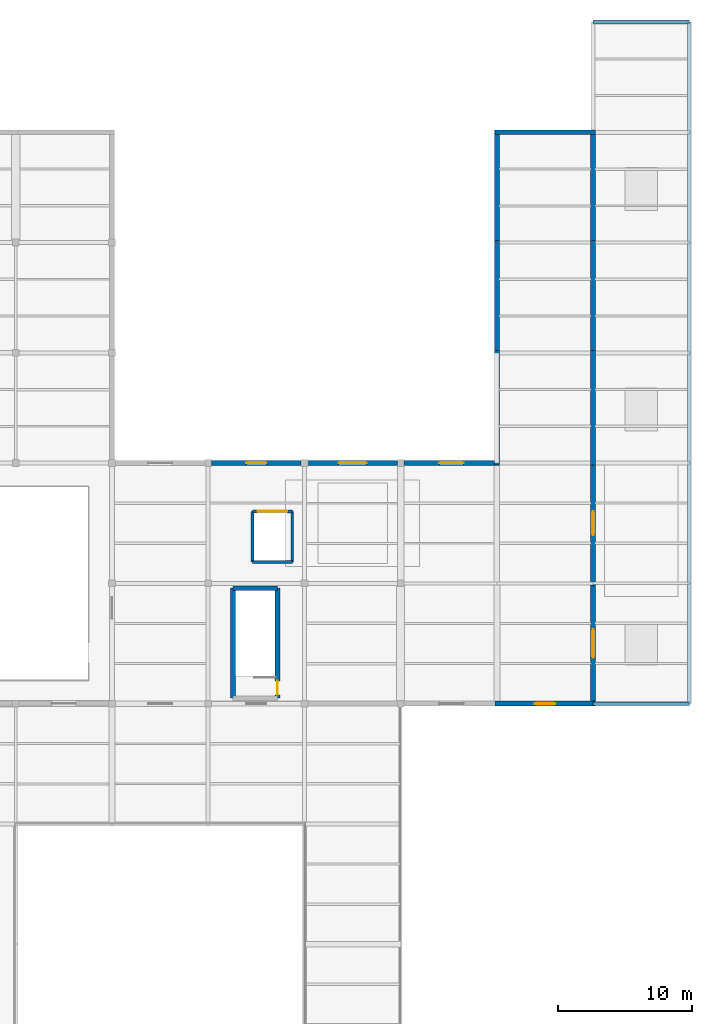
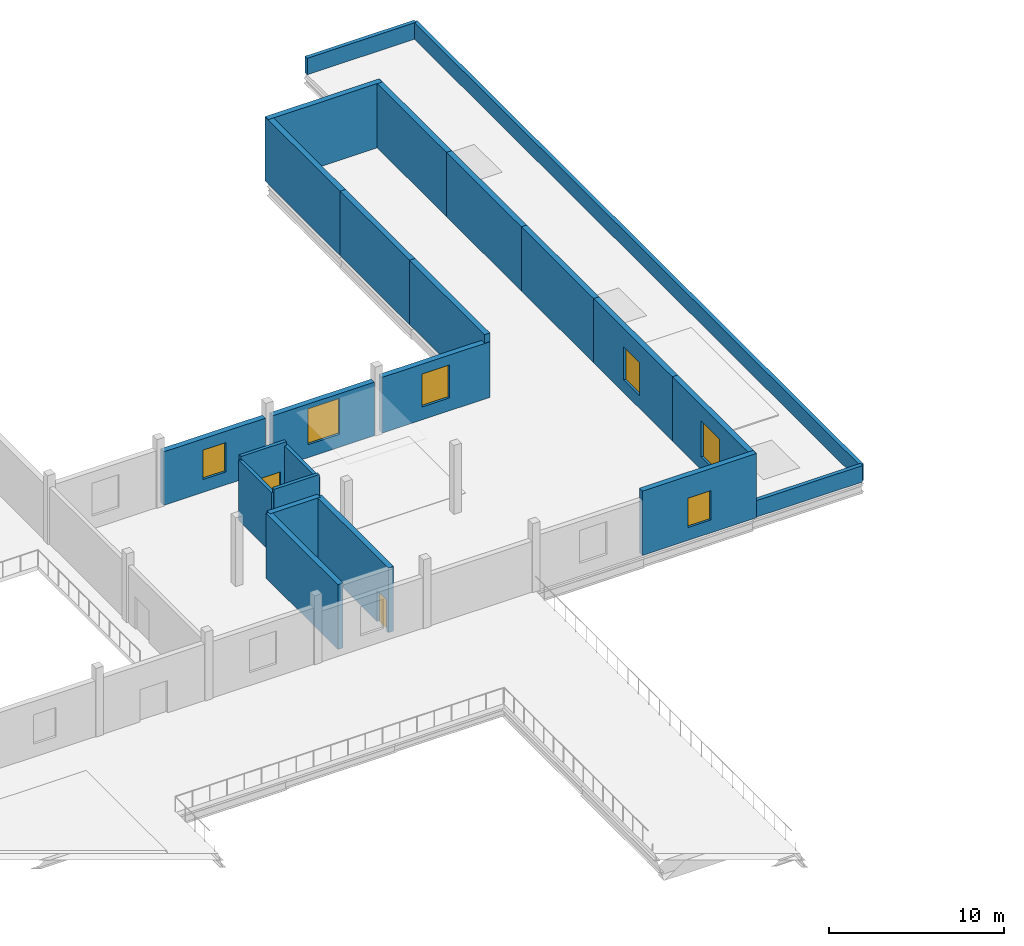
# One storey, part 38 of 54: 23 walls, 6 windows, 2 doors, 8 openings.
"""IFC4 building model written with IfcOpenShell, lengths in metres."""

from ifc_helpers import new_model, si_unit, direction, frame, frame_2d, origin, place, context, subcontext, project, spatial, rectangle, extrude, material, layer, layer_set, type_object, element, fill, save


model = new_model("IFC4")

# Units and contexts
model_context = context("Model", 3, precision=1e-05, world=origin(), true_north=direction((0.0, 1.0)))
body_context = subcontext(model_context, "Body", "Model", "MODEL_VIEW")
ifc_project = project(units=[si_unit("LENGTHUNIT", "METRE"), si_unit("AREAUNIT", "SQUARE_METRE"), si_unit("VOLUMEUNIT", "CUBIC_METRE"), si_unit("PLANEANGLEUNIT", "RADIAN"), si_unit("MASSUNIT", "GRAM", prefix="KILO")], contexts=[model_context])

# Site, building, storey
site_placement = place(None, origin())
site = spatial("IfcSite", under=ifc_project, at=site_placement, CompositionType="ELEMENT")
building_placement = place(site_placement, origin())
building = spatial("IfcBuilding", under=site, at=building_placement, Name="Sundgate Opera House", CompositionType="ELEMENT")
storey_placement = place(building_placement, frame((0.0, 0.0, 16.800048828125)))
storey = spatial("IfcBuildingStorey", under=building, at=storey_placement, Name="L03", CompositionType="ELEMENT", Elevation=16.800048828125)

# Walls
ifc_material_1 = material(Name="Concrete C40/50", Category="concrete")
ifc_layer_1 = layer(ifc_material_1, 0.35009765625)
ifc_layer_set_1 = layer_set([ifc_layer_1], Name="Concrete C40/50")
wall_type_1 = type_object("IfcWallType", Name="WL-CORE-350", PredefinedType="SHEAR", material=ifc_layer_set_1)
wall_1_placement = place(storey_placement, frame((133.260009765625, 77.639892578125, 0.0), z_axis=(0.0, 0.0, 1.0), x_axis=(1.0, 0.0, 0.0)))
element("IfcWall", 1, at=wall_1_placement, inside=storey, type_object=wall_type_1, Name="L03 C6 North Shaft Wall", PredefinedType="SHEAR", context=body_context, shape_type="SweptSolid", body=[
    extrude(rectangle(XDim=3.330078125, YDim=0.35009765625, at=frame_2d((1.6650390625, 0.0))), origin(), (0.0, 0.0, 1.0), 4.52001953125),
])
wall_2_placement = place(storey_placement, frame((133.260009765625, 69.409912109375, 0.0), z_axis=(0.0, 0.0, 1.0), x_axis=(0.0, 1.0, 0.0)))
element("IfcWall", 2, at=wall_2_placement, inside=storey, type_object=wall_type_1, Name="L03 C6 West Shaft Wall", PredefinedType="SHEAR", context=body_context, shape_type="SweptSolid", body=[
    extrude(rectangle(XDim=8.22998046875, YDim=0.35009765625, at=frame_2d((4.114990234375, 0.0))), origin(), (0.0, 0.0, 1.0), 4.52001953125),
])

# Wall, opening, door
wall_3_placement = place(storey_placement, frame((136.590087890625, 69.409912109375, 0.0), z_axis=(0.0, 0.0, 1.0), x_axis=(0.0, 1.0, 0.0)))
wall_3 = element("IfcWall", 3, at=wall_3_placement, inside=storey, type_object=wall_type_1, Name="L03 C6 East Shaft Wall", PredefinedType="SHEAR", context=body_context, shape_type="SweptSolid", body=[
    extrude(rectangle(XDim=8.22998046875, YDim=0.35009765625, at=frame_2d((4.114990234375, 0.0))), origin(), (0.0, 0.0, 1.0), 4.52001953125),
])
opening_1_placement = place(wall_3_placement, frame((0.239990234375, 0.0, 0.0)))
opening_1 = element("IfcOpeningElement", 4, at=opening_1_placement, cuts=wall_3, Name="Opening DI01", PredefinedType="OPENING", context=body_context, shape_type="SweptSolid", body=[
    extrude(rectangle(XDim=1.050048828125, YDim=2.179931640625, at=frame_2d((0.52490234375, 1.08984375))), frame((0.0, 0.18505859375, 0.0), z_axis=(0.0, -1.0, 0.0), x_axis=(1.0, 0.0, 0.0)), (0.0, 0.0, 1.0), 0.3701171875),
])
ifc_material_2 = material(Name="Acoustic hardwood timber and steel core", Category="steel")
door_type_1 = type_object("IfcDoorType", Name="DR-STAIR-1050x2180", OperationType="NOTDEFINED", PredefinedType="DOOR", material=ifc_material_2)
door_1_placement = place(opening_1_placement, origin())
door_1 = element("IfcDoor", 5, at=door_1_placement, inside=storey, type_object=door_type_1, Name="L03 C6 Stair Door D0082", OperationType="SINGLE_SWING_RIGHT", OverallHeight=2.179931640625, OverallWidth=1.050048828125, PredefinedType="DOOR", context=body_context, shape_type="SweptSolid", body=[
    extrude(rectangle(XDim=1.050048828125, YDim=2.179931640625, at=frame_2d((0.52490234375, 1.08984375))), frame((0.0, 0.02490234375, 0.0), z_axis=(0.0, -1.0, 0.0), x_axis=(1.0, 0.0, 0.0)), (0.0, 0.0, 1.0), 0.050048828125),
])
fill(opening_1, door_1)

# Wall, opening, window
ifc_material_3 = material(Name="Scanian red-brown facing brick masonry", Category="masonry")
ifc_layer_2 = layer(ifc_material_3, 0.360107421875)
ifc_layer_set_2 = layer_set([ifc_layer_2], Name="Scanian red-brown facing brick masonry")
wall_type_2 = type_object("IfcWallType", Name="WL-EXT-BRICK-360", PredefinedType="SOLIDWALL", material=ifc_layer_set_2)
wall_4_placement = place(storey_placement, frame((131.64501953125, 87.0, 0.0), z_axis=(0.0, 0.0, 1.0), x_axis=(1.0, 0.0, 0.0)))
wall_4 = element("IfcWall", 6, at=wall_4_placement, inside=storey, type_object=wall_type_2, Name="L03 Conservatory North Brick Wall W0250", PredefinedType="SOLIDWALL", context=body_context, shape_type="SweptSolid", body=[
    extrude(rectangle(XDim=6.7099609375, YDim=0.360107421875, at=frame_2d((3.35498046875, 0.0))), origin(), (0.0, 0.0, 1.0), 3.73486328125),
])
opening_2_placement = place(wall_4_placement, frame((2.60498046875, 0.0, 0.89990234375)))
opening_2 = element("IfcOpeningElement", 7, at=opening_2_placement, cuts=wall_4, Name="Opening W06", PredefinedType="OPENING", context=body_context, shape_type="SweptSolid", body=[
    extrude(rectangle(XDim=1.5, YDim=2.050048828125, at=frame_2d((0.75, 1.02490234375))), frame((0.0, 0.18994140625, 0.0), z_axis=(0.0, -1.0, 0.0), x_axis=(1.0, 0.0, 0.0)), (0.0, 0.0, 1.0), 0.380126953125),
])
ifc_material_4 = material(Name="Low-iron triple glazing in patinated bronze frame", Category="glass")
window_type_1 = type_object("IfcWindowType", Name="WN-CONS-1500x2050", PartitioningType="SINGLE_PANEL", PredefinedType="WINDOW", material=ifc_material_4)
window_1_placement = place(opening_2_placement, origin())
window_1 = element("IfcWindow", 8, at=window_1_placement, inside=storey, type_object=window_type_1, Name="L03 Conservatory Window WN0198", OverallHeight=2.050048828125, OverallWidth=1.5, PartitioningType="SINGLE_PANEL", PredefinedType="WINDOW", context=body_context, shape_type="SweptSolid", body=[
    extrude(rectangle(XDim=1.5, YDim=2.050048828125, at=frame_2d((0.75, 1.02490234375))), frame((0.0, 0.030029296875, 0.0), z_axis=(0.0, -1.0, 0.0), x_axis=(1.0, 0.0, 0.0)), (0.0, 0.0, 1.0), 0.06005859375),
])
fill(opening_2, window_1)

wall_5_placement = place(storey_placement, frame((138.844970703125, 87.0, 0.0), z_axis=(0.0, 0.0, 1.0), x_axis=(1.0, 0.0, 0.0)))
wall_5 = element("IfcWall", 9, at=wall_5_placement, inside=storey, type_object=wall_type_2, Name="L03 Conservatory North Brick Wall W0251", PredefinedType="SOLIDWALL", context=body_context, shape_type="SweptSolid", body=[
    extrude(rectangle(XDim=6.7099609375, YDim=0.360107421875, at=frame_2d((3.35498046875, 0.0))), origin(), (0.0, 0.0, 1.0), 3.73486328125),
])
opening_3_placement = place(wall_5_placement, frame((2.304931640625, 0.0, 0.89990234375)))
opening_3 = element("IfcOpeningElement", 10, at=opening_3_placement, cuts=wall_5, Name="Opening W04", PredefinedType="OPENING", context=body_context, shape_type="SweptSolid", body=[
    extrude(rectangle(XDim=2.10009765625, YDim=2.5, at=frame_2d((1.050048828125, 1.25))), frame((0.0, 0.18994140625, 0.0), z_axis=(0.0, -1.0, 0.0), x_axis=(1.0, 0.0, 0.0)), (0.0, 0.0, 1.0), 0.380126953125),
])
ifc_material_5 = material(Name="Low-iron triple glazing in patinated bronze frame", Category="glass")
window_type_2 = type_object("IfcWindowType", Name="WN-CONS-2100x2500", PartitioningType="SINGLE_PANEL", PredefinedType="WINDOW", material=ifc_material_5)
window_2_placement = place(opening_3_placement, origin())
window_2 = element("IfcWindow", 11, at=window_2_placement, inside=storey, type_object=window_type_2, Name="L03 Conservatory Window WN0199", OverallHeight=2.5, OverallWidth=2.10009765625, PartitioningType="SINGLE_PANEL", PredefinedType="WINDOW", context=body_context, shape_type="SweptSolid", body=[
    extrude(rectangle(XDim=2.10009765625, YDim=2.5, at=frame_2d((1.050048828125, 1.25))), frame((0.0, 0.030029296875, 0.0), z_axis=(0.0, -1.0, 0.0), x_axis=(1.0, 0.0, 0.0)), (0.0, 0.0, 1.0), 0.06005859375),
])
fill(opening_3, window_2)

wall_6_placement = place(storey_placement, frame((146.044921875, 87.0, 0.0), z_axis=(0.0, 0.0, 1.0), x_axis=(1.0, 0.0, 0.0)))
wall_6 = element("IfcWall", 12, at=wall_6_placement, inside=storey, type_object=wall_type_2, Name="L03 Conservatory North Brick Wall W0252", PredefinedType="SOLIDWALL", context=body_context, shape_type="SweptSolid", body=[
    extrude(rectangle(XDim=7.114990234375, YDim=0.360107421875, at=frame_2d((3.5576171875, 0.0))), origin(), (0.0, 0.0, 1.0), 3.885009765625),
])
opening_4_placement = place(wall_6_placement, frame((2.657958984375, 0.0, 0.89990234375)))
opening_4 = element("IfcOpeningElement", 13, at=opening_4_placement, cuts=wall_6, Name="Opening W05", PredefinedType="OPENING", context=body_context, shape_type="SweptSolid", body=[
    extrude(rectangle(XDim=1.800048828125, YDim=2.300048828125, at=frame_2d((0.89990234375, 1.14990234375))), frame((0.0, 0.18994140625, 0.0), z_axis=(0.0, -1.0, 0.0), x_axis=(1.0, 0.0, 0.0)), (0.0, 0.0, 1.0), 0.380126953125),
])
ifc_material_6 = material(Name="Low-iron triple glazing in patinated bronze frame", Category="glass")
window_type_3 = type_object("IfcWindowType", Name="WN-CONS-1800x2300", PartitioningType="SINGLE_PANEL", PredefinedType="WINDOW", material=ifc_material_6)
window_3_placement = place(opening_4_placement, origin())
window_3 = element("IfcWindow", 14, at=window_3_placement, inside=storey, type_object=window_type_3, Name="L03 Conservatory Window WN0200", OverallHeight=2.300048828125, OverallWidth=1.800048828125, PartitioningType="SINGLE_PANEL", PredefinedType="WINDOW", context=body_context, shape_type="SweptSolid", body=[
    extrude(rectangle(XDim=1.800048828125, YDim=2.300048828125, at=frame_2d((0.89990234375, 1.14990234375))), frame((0.0, 0.030029296875, 0.0), z_axis=(0.0, -1.0, 0.0), x_axis=(1.0, 0.0, 0.0)), (0.0, 0.0, 1.0), 0.06005859375),
])
fill(opening_4, window_3)

wall_7_placement = place(storey_placement, frame((160.199951171875, 78.159912109375, 0.0), z_axis=(0.0, 0.0, 1.0), x_axis=(0.0, -1.0, 0.0)))
wall_7 = element("IfcWall", 15, at=wall_7_placement, inside=storey, type_object=wall_type_2, Name="L03 Conservatory East Brick Wall W0253", PredefinedType="SOLIDWALL", context=body_context, shape_type="SweptSolid", body=[
    extrude(rectangle(XDim=9.31982421875, YDim=0.360107421875, at=frame_2d((4.659912109375, 0.0))), origin(), (0.0, 0.0, 1.0), 4.48486328125),
])
opening_5_placement = place(wall_7_placement, frame((3.610107421875, 0.0, 0.89990234375)))
opening_5 = element("IfcOpeningElement", 16, at=opening_5_placement, cuts=wall_7, Name="Opening W04", PredefinedType="OPENING", context=body_context, shape_type="SweptSolid", body=[
    extrude(rectangle(XDim=2.10009765625, YDim=2.5, at=frame_2d((1.050048828125, 1.25))), frame((0.0, 0.18994140625, 0.0), z_axis=(0.0, -1.0, 0.0), x_axis=(1.0, 0.0, 0.0)), (0.0, 0.0, 1.0), 0.380126953125),
])
window_4_placement = place(opening_5_placement, origin())
window_4 = element("IfcWindow", 17, at=window_4_placement, inside=storey, type_object=window_type_2, Name="L03 Conservatory Window WN0201", OverallHeight=2.5, OverallWidth=2.10009765625, PartitioningType="SINGLE_PANEL", PredefinedType="WINDOW", context=body_context, shape_type="SweptSolid", body=[
    extrude(rectangle(XDim=2.10009765625, YDim=2.5, at=frame_2d((1.050048828125, 1.25))), frame((0.0, 0.030029296875, 0.0), z_axis=(0.0, -1.0, 0.0), x_axis=(1.0, 0.0, 0.0)), (0.0, 0.0, 1.0), 0.06005859375),
])
fill(opening_5, window_4)

wall_8_placement = place(storey_placement, frame((160.199951171875, 87.159912109375, 0.0), z_axis=(0.0, 0.0, 1.0), x_axis=(0.0, -1.0, 0.0)))
wall_8 = element("IfcWall", 18, at=wall_8_placement, inside=storey, type_object=wall_type_2, Name="L03 Conservatory East Brick Wall W0254", PredefinedType="SOLIDWALL", context=body_context, shape_type="SweptSolid", body=[
    extrude(rectangle(XDim=9.31982421875, YDim=0.360107421875, at=frame_2d((4.659912109375, 0.0))), origin(), (0.0, 0.0, 1.0), 4.48486328125),
])
opening_6_placement = place(wall_8_placement, frame((3.760009765625, 0.0, 0.89990234375)))
opening_6 = element("IfcOpeningElement", 19, at=opening_6_placement, cuts=wall_8, Name="Opening W05", PredefinedType="OPENING", context=body_context, shape_type="SweptSolid", body=[
    extrude(rectangle(XDim=1.800048828125, YDim=2.300048828125, at=frame_2d((0.89990234375, 1.14990234375))), frame((0.0, 0.18994140625, 0.0), z_axis=(0.0, -1.0, 0.0), x_axis=(1.0, 0.0, 0.0)), (0.0, 0.0, 1.0), 0.380126953125),
])
window_5_placement = place(opening_6_placement, origin())
window_5 = element("IfcWindow", 20, at=window_5_placement, inside=storey, type_object=window_type_3, Name="L03 Conservatory Window WN0202", OverallHeight=2.300048828125, OverallWidth=1.800048828125, PartitioningType="SINGLE_PANEL", PredefinedType="WINDOW", context=body_context, shape_type="SweptSolid", body=[
    extrude(rectangle(XDim=1.800048828125, YDim=2.300048828125, at=frame_2d((0.89990234375, 1.14990234375))), frame((0.0, 0.030029296875, 0.0), z_axis=(0.0, -1.0, 0.0), x_axis=(1.0, 0.0, 0.0)), (0.0, 0.0, 1.0), 0.06005859375),
])
fill(opening_6, window_5)

wall_9_placement = place(storey_placement, frame((160.360107421875, 69.0, 0.0), z_axis=(0.0, 0.0, 1.0), x_axis=(-1.0, 0.0, 0.0)))
wall_9 = element("IfcWall", 21, at=wall_9_placement, inside=storey, type_object=wall_type_2, Name="L03 Conservatory South Brick Wall W0265", PredefinedType="SOLIDWALL", context=body_context, shape_type="SweptSolid", body=[
    extrude(rectangle(XDim=7.52001953125, YDim=0.360107421875, at=frame_2d((3.760009765625, 0.0))), origin(), (0.0, 0.0, 1.0), 4.48486328125),
])
opening_7_placement = place(wall_9_placement, frame((3.010009765625, 0.0, 0.89990234375)))
opening_7 = element("IfcOpeningElement", 22, at=opening_7_placement, cuts=wall_9, Name="Opening W06", PredefinedType="OPENING", context=body_context, shape_type="SweptSolid", body=[
    extrude(rectangle(XDim=1.5, YDim=2.050048828125, at=frame_2d((0.75, 1.02490234375))), frame((0.0, 0.18994140625, 0.0), z_axis=(0.0, -1.0, 0.0), x_axis=(1.0, 0.0, 0.0)), (0.0, 0.0, 1.0), 0.380126953125),
])
window_6_placement = place(opening_7_placement, origin())
window_6 = element("IfcWindow", 23, at=window_6_placement, inside=storey, type_object=window_type_1, Name="L03 Conservatory Window WN0210", OverallHeight=2.050048828125, OverallWidth=1.5, PartitioningType="SINGLE_PANEL", PredefinedType="WINDOW", context=body_context, shape_type="SweptSolid", body=[
    extrude(rectangle(XDim=1.5, YDim=2.050048828125, at=frame_2d((0.75, 1.02490234375))), frame((0.0, 0.030029296875, 0.0), z_axis=(0.0, -1.0, 0.0), x_axis=(1.0, 0.0, 0.0)), (0.0, 0.0, 1.0), 0.06005859375),
])
fill(opening_7, window_6)

# Walls
wall_10_placement = place(storey_placement, frame((152.840087890625, 111.75, 0.0), z_axis=(0.0, 0.0, 1.0), x_axis=(1.0, 0.0, 0.0)))
element("IfcWall", 24, at=wall_10_placement, inside=storey, type_object=wall_type_2, Name="L03 Conservatory North Brick Wall W0290", PredefinedType="SOLIDWALL", context=body_context, shape_type="SweptSolid", body=[
    extrude(rectangle(XDim=7.52001953125, YDim=0.360107421875, at=frame_2d((3.760009765625, 0.0))), origin(), (0.0, 0.0, 1.0), 4.48486328125),
])
for number, where, z_axis, x_axis, name in (
    (25, (153.0, 95.409912109375, 0.0), (0.0, 0.0, 1.0), (0.0, -1.0, 0.0), "L03 Conservatory West Brick Wall W0291"),
    (26, (153.0, 103.659912109375, 0.0), (0.0, 0.0, 1.0), (0.0, -1.0, 0.0), "L03 Conservatory West Brick Wall W0292"),
    (27, (153.0, 111.909912109375, 0.0), (0.0, 0.0, 1.0), (0.0, -1.0, 0.0), "L03 Conservatory West Brick Wall W0293"),
    (28, (160.199951171875, 86.840087890625, 0.0), (0.0, 0.0, 1.0), (0.0, 1.0, 0.0), "L03 Conservatory East Brick Wall W0294"),
    (29, (160.199951171875, 95.090087890625, 0.0), (0.0, 0.0, 1.0), (0.0, 1.0, 0.0), "L03 Conservatory East Brick Wall W0295"),
    (30, (160.199951171875, 103.340087890625, 0.0), (0.0, 0.0, 1.0), (0.0, 1.0, 0.0), "L03 Conservatory East Brick Wall W0296"),
):
    element("IfcWall", number, at=place(storey_placement, frame(where, z_axis=z_axis, x_axis=x_axis)), inside=storey, type_object=wall_type_2, Name=name, PredefinedType="SOLIDWALL", context=body_context, shape_type="SweptSolid", body=[
        extrude(rectangle(XDim=8.56982421875, YDim=0.360107421875, at=frame_2d((4.284912109375, 0.0))), origin(), (0.0, 0.0, 1.0), 4.48486328125),
    ])
ifc_material_7 = material(Name="Fire-rated gypsum and mineral-wool shaft partition", Category="gypsum")
ifc_layer_3 = layer(ifc_material_7, 0.219970703125)
ifc_layer_set_3 = layer_set([ifc_layer_3], Name="Fire-rated gypsum and mineral-wool shaft partition")
wall_type_3 = type_object("IfcWallType", Name="WL-INT-FIRE-220", PredefinedType="PARTITIONING", material=ifc_layer_set_3)
wall_11_placement = place(storey_placement, frame((134.7099609375, 79.610107421875, 0.0), z_axis=(0.0, 0.0, 1.0), x_axis=(1.0, 0.0, 0.0)))
element("IfcWall", 31, at=wall_11_placement, inside=storey, type_object=wall_type_3, Name="L03 GL-01 South Shaft Wall", PredefinedType="PARTITIONING", context=body_context, shape_type="SweptSolid", body=[
    extrude(rectangle(XDim=2.97998046875, YDim=0.219970703125, at=frame_2d((1.489990234375, 0.0))), origin(), (0.0, 0.0, 1.0), 4.48486328125),
])

# Wall, opening, door
wall_12_placement = place(storey_placement, frame((134.7099609375, 83.389892578125, 0.0), z_axis=(0.0, 0.0, 1.0), x_axis=(1.0, 0.0, 0.0)))
wall_12 = element("IfcWall", 32, at=wall_12_placement, inside=storey, type_object=wall_type_3, Name="L03 GL-01 North Shaft Wall", PredefinedType="PARTITIONING", context=body_context, shape_type="SweptSolid", body=[
    extrude(rectangle(XDim=2.97998046875, YDim=0.219970703125, at=frame_2d((1.489990234375, 0.0))), origin(), (0.0, 0.0, 1.0), 4.48486328125),
])
opening_8_placement = place(wall_12_placement, frame((0.389892578125, 0.0, 0.0)))
opening_8 = element("IfcOpeningElement", 33, at=opening_8_placement, cuts=wall_12, Name="Opening LD3", PredefinedType="OPENING", context=body_context, shape_type="SweptSolid", body=[
    extrude(rectangle(XDim=2.199951171875, YDim=2.5, at=frame_2d((1.10009765625, 1.25))), frame((0.0, 0.119873046875, 0.0), z_axis=(0.0, -1.0, 0.0), x_axis=(1.0, 0.0, 0.0)), (0.0, 0.0, 1.0), 0.239990234375),
])
ifc_material_8 = material(Name="Brushed stainless steel EN 1.4301", Category="steel")
door_type_2 = type_object("IfcDoorType", Name="DR-LIFT-2200x2500", OperationType="DOUBLE_DOOR_SLIDING", PredefinedType="DOOR", material=ifc_material_8)
door_2_placement = place(opening_8_placement, origin())
door_2 = element("IfcDoor", 34, at=door_2_placement, inside=storey, type_object=door_type_2, Name="L03 GL-01 Landing Door D0148", OperationType="DOUBLE_DOOR_SLIDING", OverallHeight=2.5, OverallWidth=2.199951171875, PredefinedType="DOOR", context=body_context, shape_type="SweptSolid", body=[
    extrude(rectangle(XDim=2.199951171875, YDim=2.5, at=frame_2d((1.10009765625, 1.25))), frame((0.0, 0.02490234375, 0.0), z_axis=(0.0, -1.0, 0.0), x_axis=(1.0, 0.0, 0.0)), (0.0, 0.0, 1.0), 0.050048828125),
])
fill(opening_8, door_2)

# Walls
for number, where, z_axis, x_axis, name in (
    (35, (134.7099609375, 79.610107421875, 0.0), (0.0, 0.0, 1.0), (0.0, 1.0, 0.0), "L03 GL-01 West Shaft Wall"),
    (36, (137.68994140625, 79.610107421875, 0.0), (0.0, 0.0, 1.0), (0.0, 1.0, 0.0), "L03 GL-01 East Shaft Wall"),
):
    element("IfcWall", number, at=place(storey_placement, frame(where, z_axis=z_axis, x_axis=x_axis)), inside=storey, type_object=wall_type_3, Name=name, PredefinedType="PARTITIONING", context=body_context, shape_type="SweptSolid", body=[
        extrude(rectangle(XDim=3.77978515625, YDim=0.219970703125, at=frame_2d((1.889892578125, 0.0))), origin(), (0.0, 0.0, 1.0), 4.21484375),
    ])
ifc_material_9 = material(Name="Scanian red-brown facing brick masonry", Category="masonry")
ifc_layer_4 = layer(ifc_material_9, 0.25)
ifc_layer_set_4 = layer_set([ifc_layer_4], Name="Scanian red-brown facing brick masonry")
wall_type_4 = type_object("IfcWallType", Name="WL-PAR-BRICK-250", PredefinedType="PARAPET", material=ifc_layer_set_4)
wall_13_placement = place(storey_placement, frame((160.199951171875, 69.0, 0.0), z_axis=(0.0, 0.0, 1.0), x_axis=(1.0, 0.0, 0.0)))
element("IfcWall", 37, at=wall_13_placement, inside=storey, type_object=wall_type_4, Name="L03 Roof Parapet W0469", PredefinedType="PARAPET", context=body_context, shape_type="SweptSolid", body=[
    extrude(rectangle(XDim=7.199951171875, YDim=0.25, at=frame_2d((3.60009765625, 0.0))), origin(), (0.0, 0.0, 1.0), 1.14990234375),
])
wall_14_placement = place(storey_placement, frame((167.39990234375, 69.0, 0.0), z_axis=(0.0, 0.0, 1.0), x_axis=(0.0, 1.0, 0.0)))
element("IfcWall", 38, at=wall_14_placement, inside=storey, type_object=wall_type_4, Name="L03 Roof Parapet W0470", PredefinedType="PARAPET", context=body_context, shape_type="SweptSolid", body=[
    extrude(rectangle(XDim=51.0, YDim=0.25, at=frame_2d((25.5, 0.0))), origin(), (0.0, 0.0, 1.0), 1.14990234375),
])
wall_15_placement = place(storey_placement, frame((160.199951171875, 120.0, 0.0), z_axis=(0.0, 0.0, 1.0), x_axis=(1.0, 0.0, 0.0)))
element("IfcWall", 39, at=wall_15_placement, inside=storey, type_object=wall_type_4, Name="L03 Roof Parapet W0471", PredefinedType="PARAPET", context=body_context, shape_type="SweptSolid", body=[
    extrude(rectangle(XDim=7.199951171875, YDim=0.25, at=frame_2d((3.60009765625, 0.0))), origin(), (0.0, 0.0, 1.0), 1.14990234375),
])

save(model, "model.ifc")
